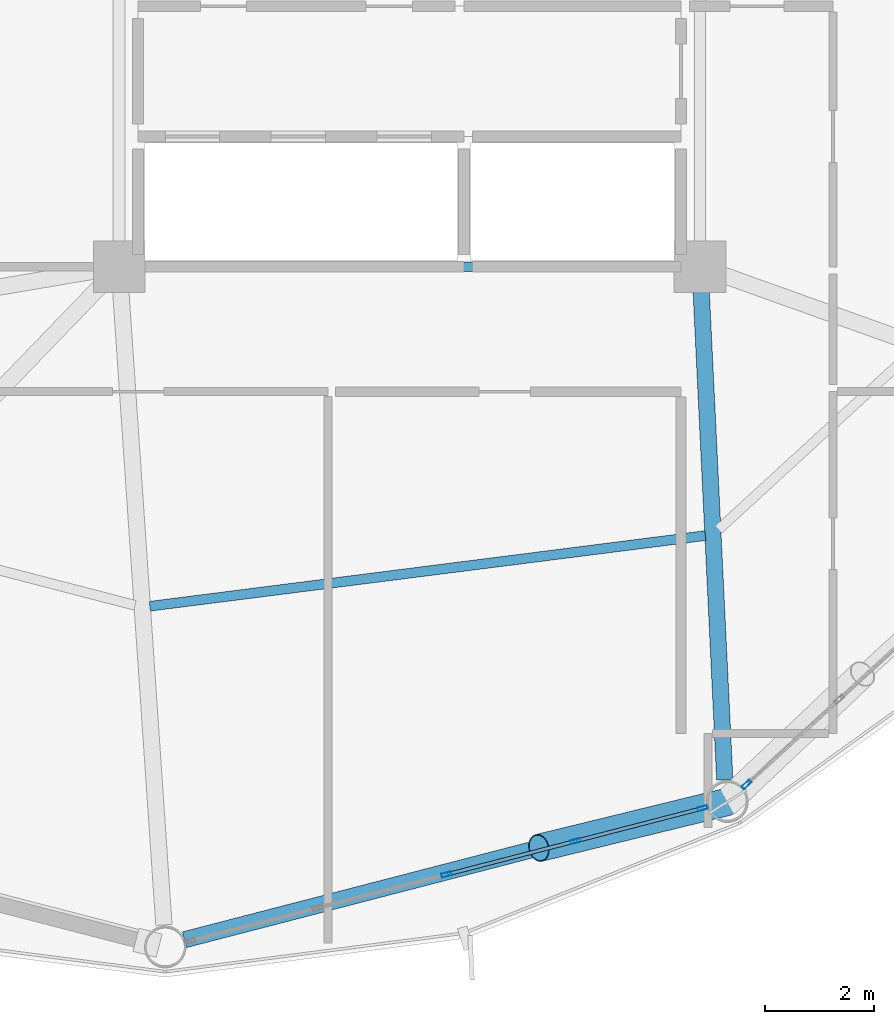
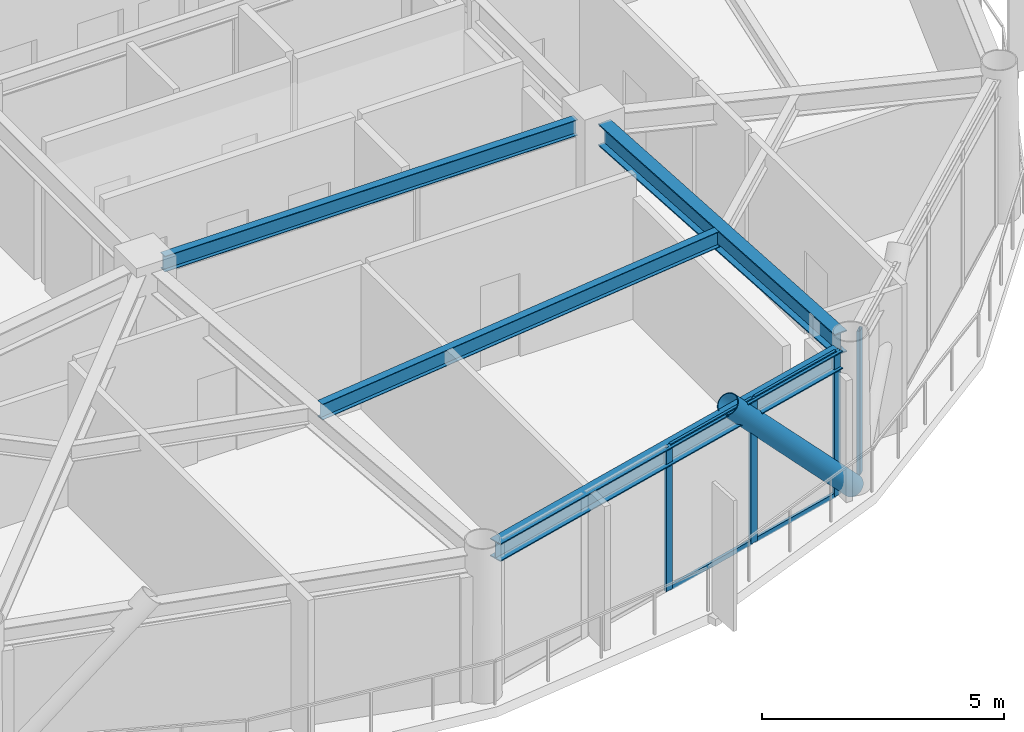
# One storey, part 8 of 25: 9 members, 4 beams, 2 elements without a shape of their own.
"""IFC4 building model written with IfcOpenShell, lengths in metres."""

from ifc_helpers import new_model, si_unit, direction, frame, origin, origin_2d, place, context, subcontext, project, spatial, hollow_rectangle, hollow_circle, i_section, extrude, material, layer, layer_set, material_profile, profile_set, type_object, element, aggregate, save


model = new_model("IFC4")

# Units and contexts
model_context = context("Model", 3, precision=1e-05, world=origin(), true_north=direction((0.0, 1.0)))
body_context = subcontext(model_context, "Body", "Model", "MODEL_VIEW")
ifc_project = project(units=[si_unit("LENGTHUNIT", "METRE"), si_unit("AREAUNIT", "SQUARE_METRE"), si_unit("VOLUMEUNIT", "CUBIC_METRE"), si_unit("PLANEANGLEUNIT", "RADIAN"), si_unit("MASSUNIT", "GRAM", prefix="KILO")], contexts=[model_context])

# Site, building, storey
site_placement = place(None, origin())
site = spatial("IfcSite", under=ifc_project, at=site_placement, CompositionType="ELEMENT")
building_placement = place(site_placement, origin())
building = spatial("IfcBuilding", under=site, at=building_placement, Name="Varnakorn Sky Granary", CompositionType="ELEMENT")
storey_placement = place(building_placement, frame((0.0, 0.0, 146.10009765625)))
storey = spatial("IfcBuildingStorey", under=building, at=storey_placement, Name="L36", CompositionType="ELEMENT", Elevation=146.10009765625)

# Beams
ifc_material_1 = material(Name="Steel S355JR", Category="steel")
ifc_material_profile_1 = material_profile(ifc_material_1, i_section(OverallWidth=0.300048828125, OverallDepth=0.550048828125, WebThickness=0.014892578125, FlangeThickness=0.029052734375, at=origin_2d()), Name="HE 550 B")
ifc_profile_set_1 = profile_set([ifc_material_profile_1], Name="Steel S355JR")
beam_type_1 = type_object("IfcBeamType", Name="BM-RAD-Z3", PredefinedType="BEAM", material=ifc_profile_set_1)
beam_1_placement = place(storey_placement, frame((8.370361328125, -7.01953125, 3.364990234375), z_axis=(0.04823884673, -0.998835829186, 0.0), x_axis=(0.998835829186, 0.04823884673, 0.0)))
element("IfcBeam", 1, at=beam_1_placement, inside=storey, type_object=beam_type_1, Name="Radial Floor Girder RG11 L36", PredefinedType="BEAM", context=body_context, shape_type="SweptSolid", body=[
    extrude(i_section(OverallWidth=0.300048828125, OverallDepth=0.550048828125, WebThickness=0.014892578125, FlangeThickness=0.029052734375, at=origin_2d()), origin(), (0.0, 0.0, 1.0), 9.0390625),
])
ifc_material_profile_2 = material_profile(ifc_material_1, i_section(OverallWidth=0.179931640625, OverallDepth=0.39990234375, WebThickness=0.008544921875, FlangeThickness=0.013427734375, at=origin_2d()), Name="IPE 400")
ifc_profile_set_2 = profile_set([ifc_material_profile_2], Name="Steel S355JR")
beam_type_2 = type_object("IfcBeamType", Name="BM-SEC-Z3", PredefinedType="BEAM", material=ifc_profile_set_2)
beam_2_placement = place(storey_placement, frame((-1.7841796875, -12.853271484375, 3.43994140625), z_axis=(0.992006478152, 0.126186953778, 0.0), x_axis=(-0.126186953778, 0.992006478152, 0.0)))
element("IfcBeam", 2, at=beam_2_placement, inside=storey, type_object=beam_type_2, Name="Secondary Floor Chord Beam MSB10 L36", PredefinedType="BEAM", context=body_context, shape_type="SweptSolid", body=[
    extrude(i_section(OverallWidth=0.179931640625, OverallDepth=0.39990234375, WebThickness=0.008544921875, FlangeThickness=0.013427734375, at=origin_2d()), origin(), (0.0, 0.0, 1.0), 10.316162109375),
])
beam_3_placement = place(storey_placement, frame((-1.929931640625, -6.60009765625, 3.43994140625), z_axis=(1.0, 0.0, 0.0), x_axis=(0.0, 1.0, 0.0)))
element("IfcBeam", 3, at=beam_3_placement, inside=storey, type_object=beam_type_2, Name="Core Spine Framing Beam 6 L36", PredefinedType="BEAM", context=body_context, shape_type="SweptSolid", body=[
    extrude(i_section(OverallWidth=0.179931640625, OverallDepth=0.39990234375, WebThickness=0.008544921875, FlangeThickness=0.013427734375, at=origin_2d()), origin(), (0.0, 0.0, 1.0), 9.85986328125),
])
ifc_material_profile_3 = material_profile(ifc_material_1, i_section(OverallWidth=0.300048828125, OverallDepth=0.449951171875, WebThickness=0.013916015625, FlangeThickness=0.02587890625, at=origin_2d()), Name="HE 450 B")
ifc_profile_set_3 = profile_set([ifc_material_profile_3], Name="Steel S355JR")
beam_type_3 = type_object("IfcBeamType", Name="BM-SPD-Z3", PredefinedType="SPANDREL", material=ifc_profile_set_3)
beam_4_placement = place(storey_placement, frame((-1.145751953125, -18.99609375, 3.414794921875), z_axis=(0.968056139534, 0.250733545243, 0.0), x_axis=(-0.250733545243, 0.968056139534, 0.0)))
element("IfcBeam", 4, at=beam_4_placement, inside=storey, type_object=beam_type_3, Name="Perimeter Spandrel Ring Beam RB10 L36", PredefinedType="SPANDREL", context=body_context, shape_type="SweptSolid", body=[
    extrude(i_section(OverallWidth=0.300048828125, OverallDepth=0.449951171875, WebThickness=0.013916015625, FlangeThickness=0.02587890625, at=origin_2d()), origin(), (0.0, 0.0, 1.0), 9.932861328125),
])

# Curtain wall, members
ifc_material_2 = material(Name="Anodised Bronze Aluminium Alloy 6063-T6", Category="aluminium")
ifc_layer = layer(ifc_material_2, 0.179931640625, Name="Anodised Bronze Aluminium Alloy 6063-T6")
ifc_layer_set = layer_set([ifc_layer], Name="Anodised Bronze Aluminium Alloy 6063-T6")
curtain_wall_type = type_object("IfcCurtainWallType", Name="CW-FRM-2", PredefinedType="USERDEFINED", material=ifc_layer_set)
curtain_wall_1_placement = place(storey_placement, origin())
curtain_wall_1 = element("IfcCurtainWall", 5, at=curtain_wall_1_placement, inside=storey, type_object=curtain_wall_type, Name="Unitised Curtain Wall CW4 CW-L36-B10", ObjectType="CURTAIN WALL", PredefinedType="USERDEFINED")
ifc_material_profile_4 = material_profile(ifc_material_2, hollow_rectangle(XDim=0.070068359375, YDim=0.18505859375, WallThickness=0.00390625, at=origin_2d()), Name="ALU MULL 70x185")
ifc_profile_set_4 = profile_set([ifc_material_profile_4], Name="Anodised Bronze Aluminium Alloy 6063-T6")
member_type_1 = type_object("IfcMemberType", Name="CW-FRM-2-MULL", PredefinedType="MULLION", material=ifc_profile_set_4)
member_1_placement = place(storey_placement, frame((8.396728515625, -16.574462890625, 0.0), z_axis=(0.0, 0.0, 1.0), x_axis=(0.250559125851, -0.968101298653, 0.0)))
member_1 = element("IfcMember", 6, at=member_1_placement, type_object=member_type_1, Name="CW4 mullion 1", PredefinedType="MULLION", context=body_context, shape_type="SweptSolid", body=[
    extrude(hollow_rectangle(XDim=0.070068359375, YDim=0.18505859375, WallThickness=0.00390625, at=origin_2d()), origin(), (0.0, 0.0, 1.0), 3.639892578125),
])
member_2_placement = place(storey_placement, frame((6.0546875, -17.1806640625, 0.0), z_axis=(0.0, 0.0, 1.0), x_axis=(0.250559125851, -0.968101298653, 0.0)))
member_2 = element("IfcMember", 7, at=member_2_placement, type_object=member_type_1, Name="CW4 mullion 2", PredefinedType="MULLION", context=body_context, shape_type="SweptSolid", body=[
    extrude(hollow_rectangle(XDim=0.070068359375, YDim=0.18505859375, WallThickness=0.00390625, at=origin_2d()), origin(), (0.0, 0.0, 1.0), 3.639892578125),
])
member_3_placement = place(storey_placement, frame((3.6787109375, -17.795654296875, 0.0), z_axis=(0.0, 0.0, 1.0), x_axis=(0.250559125851, -0.968101298653, 0.0)))
member_3 = element("IfcMember", 8, at=member_3_placement, type_object=member_type_1, Name="CW4 mullion 3", PredefinedType="MULLION", context=body_context, shape_type="SweptSolid", body=[
    extrude(hollow_rectangle(XDim=0.070068359375, YDim=0.18505859375, WallThickness=0.00390625, at=origin_2d()), origin(), (0.0, 0.0, 1.0), 3.639892578125),
])

# Curtain wall, member
curtain_wall_2_placement = place(storey_placement, origin())
curtain_wall_2 = element("IfcCurtainWall", 9, at=curtain_wall_2_placement, inside=storey, type_object=curtain_wall_type, Name="Unitised Curtain Wall CW4 CW-L36-B11", ObjectType="CURTAIN WALL", PredefinedType="USERDEFINED")
member_4_placement = place(storey_placement, frame((9.208251953125, -16.133544921875, 0.0), z_axis=(0.0, 0.0, 1.0), x_axis=(0.675960473988, -0.736937879069, 0.0)))
member_4 = element("IfcMember", 10, at=member_4_placement, type_object=member_type_1, Name="CW4 mullion 5", PredefinedType="MULLION", context=body_context, shape_type="SweptSolid", body=[
    extrude(hollow_rectangle(XDim=0.070068359375, YDim=0.18505859375, WallThickness=0.00390625, at=origin_2d()), origin(), (0.0, 0.0, 1.0), 3.639892578125),
])
aggregate(curtain_wall_2, [member_4])

# Member
ifc_material_profile_5 = material_profile(ifc_material_2, hollow_rectangle(XDim=0.06494140625, YDim=0.1201171875, WallThickness=0.00341796875, at=origin_2d()), Name="ALU TRAN 65x120")
ifc_profile_set_5 = profile_set([ifc_material_profile_5], Name="Anodised Bronze Aluminium Alloy 6063-T6")
member_type_2 = type_object("IfcMemberType", Name="CW-FRM-2-TRAN", PredefinedType="USERDEFINED", material=ifc_profile_set_5)
member_5_placement = place(storey_placement, frame((8.36279296875, -16.583251953125, 0.032470703125), z_axis=(-0.968097809837, -0.250572605423, 0.0), x_axis=(0.250572605423, -0.968097809837, 0.0)))
member_5 = element("IfcMember", 11, at=member_5_placement, type_object=member_type_2, Name="CW4 transom 1.1", ObjectType="TRANSOM", PredefinedType="USERDEFINED", context=body_context, shape_type="SweptSolid", body=[
    extrude(hollow_rectangle(XDim=0.06494140625, YDim=0.1201171875, WallThickness=0.00341796875, at=origin_2d()), origin(), (0.0, 0.0, 1.0), 2.34912109375),
])

member_6_placement = place(storey_placement, frame((8.36279296875, -16.583251953125, 3.607421875), z_axis=(-0.968097809837, -0.250572605423, 0.0), x_axis=(0.250572605423, -0.968097809837, 0.0)))
member_6 = element("IfcMember", 12, at=member_6_placement, type_object=member_type_2, Name="CW4 transom 1.2", ObjectType="TRANSOM", PredefinedType="USERDEFINED", context=body_context, shape_type="SweptSolid", body=[
    extrude(hollow_rectangle(XDim=0.06494140625, YDim=0.1201171875, WallThickness=0.00341796875, at=origin_2d()), origin(), (0.0, 0.0, 1.0), 2.34912109375),
])

member_7_placement = place(storey_placement, frame((6.020751953125, -17.189453125, 0.032470703125), z_axis=(-0.968097247162, -0.250574779332, 0.0), x_axis=(0.250574779332, -0.968097247162, 0.0)))
member_7 = element("IfcMember", 13, at=member_7_placement, type_object=member_type_2, Name="CW4 transom 2.1", ObjectType="TRANSOM", PredefinedType="USERDEFINED", context=body_context, shape_type="SweptSolid", body=[
    extrude(hollow_rectangle(XDim=0.06494140625, YDim=0.1201171875, WallThickness=0.00341796875, at=origin_2d()), origin(), (0.0, 0.0, 1.0), 2.38427734375),
])

member_8_placement = place(storey_placement, frame((6.020751953125, -17.189453125, 3.607421875), z_axis=(-0.968097247162, -0.250574779332, 0.0), x_axis=(0.250574779332, -0.968097247162, 0.0)))
member_8 = element("IfcMember", 14, at=member_8_placement, type_object=member_type_2, Name="CW4 transom 2.2", ObjectType="TRANSOM", PredefinedType="USERDEFINED", context=body_context, shape_type="SweptSolid", body=[
    extrude(hollow_rectangle(XDim=0.06494140625, YDim=0.1201171875, WallThickness=0.00341796875, at=origin_2d()), origin(), (0.0, 0.0, 1.0), 2.38427734375),
])

aggregate(curtain_wall_1, [member_1, member_2, member_3, member_5, member_6, member_7, member_8])

ifc_material_3 = material(Name="Steel S460M", Category="steel")
ifc_material_profile_6 = material_profile(ifc_material_3, hollow_circle(Radius=0.25390625, WallThickness=0.01806640625, at=origin_2d()), Name="CHS 508x18")
ifc_profile_set_6 = profile_set([ifc_material_profile_6], Name="Steel S460M")
member_type_3 = type_object("IfcMemberType", Name="MB-DIAG-T2", PredefinedType="BRACE", material=ifc_profile_set_6)
member_9_placement = place(storey_placement, frame((8.857421875, -16.455322265625, 0.0), z_axis=(-0.666744495624, -0.163078807565, 0.727225604664), x_axis=(0.237586189737, -0.971366461458, 0.0)))
element("IfcMember", 15, at=member_9_placement, inside=storey, type_object=member_type_3, Name="Perimeter CHS Diagrid Brace DG10 L36", PredefinedType="BRACE", context=body_context, shape_type="SweptSolid", body=[
    extrude(hollow_circle(Radius=0.25390625, WallThickness=0.01806640625, at=origin_2d()), origin(), (0.0, 0.0, 1.0), 5.21142578125),
])

save(model, "model.ifc")
